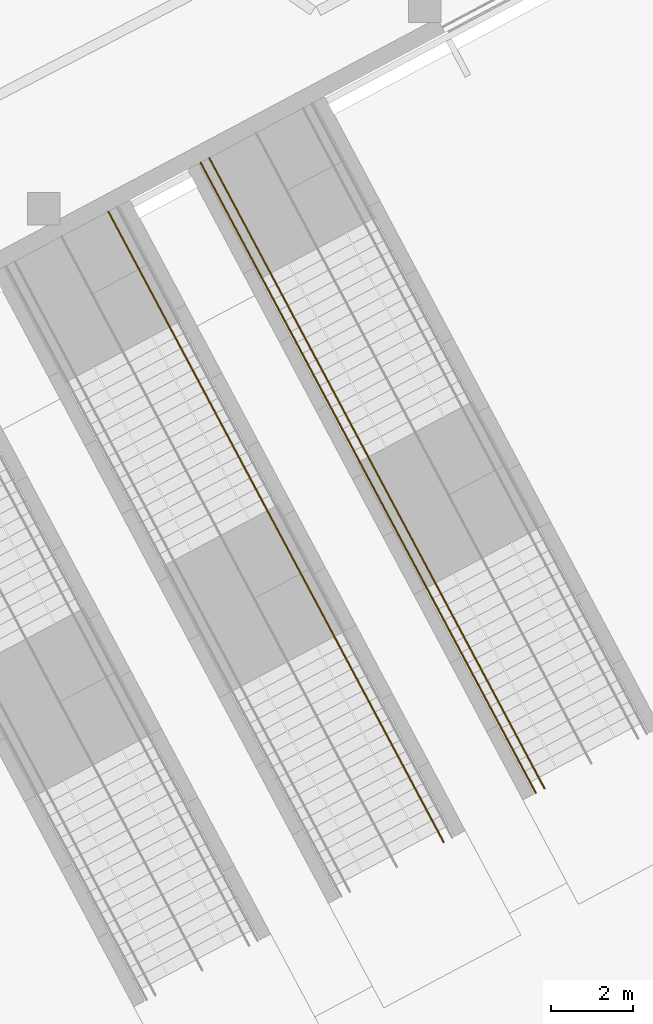
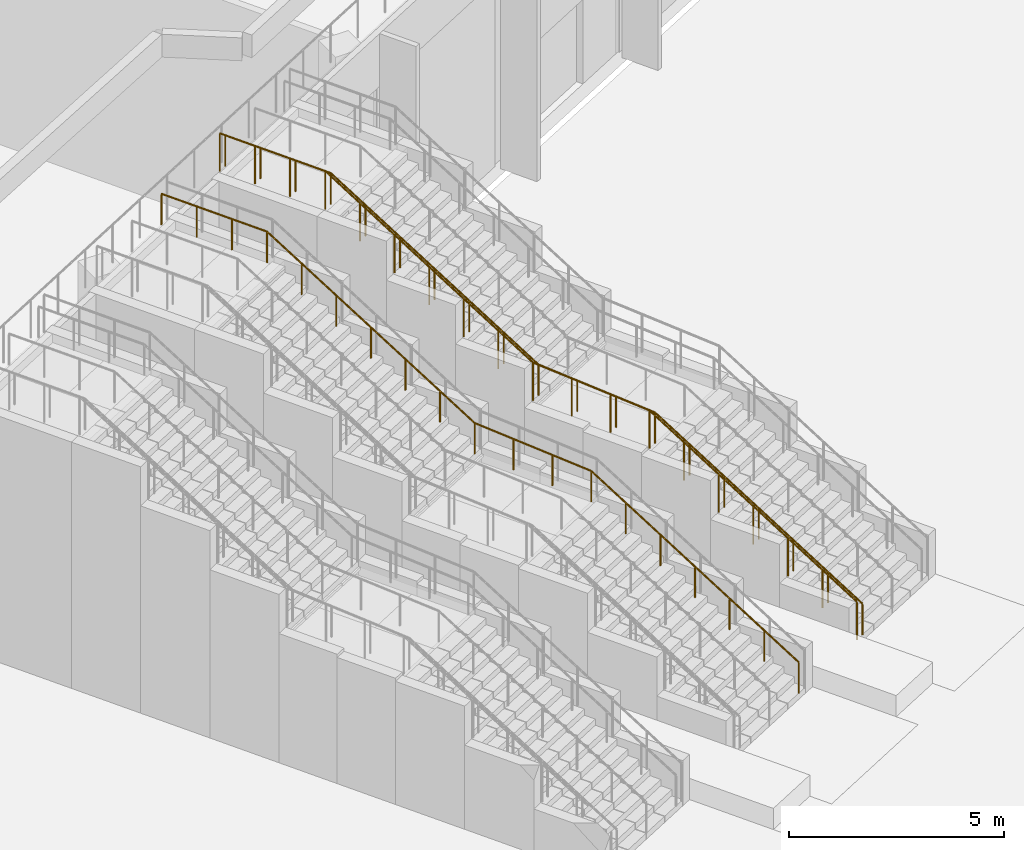
# One storey, part 49 of 57: 3 railings.
"""IFC4 building model written with IfcOpenShell, lengths in metres."""

from ifc_helpers import new_model, si_unit, direction, frame, origin, place, context, subcontext, project, spatial, polyline, outline, extrude, material, type_object, element, save


model = new_model("IFC4")

# Units and contexts
model_context = context("Model", 3, precision=1e-05, world=origin(), true_north=direction((0.0, 1.0)))
body_context = subcontext(model_context, "Body", "Model", "MODEL_VIEW")
ifc_project = project(units=[si_unit("LENGTHUNIT", "METRE"), si_unit("AREAUNIT", "SQUARE_METRE"), si_unit("VOLUMEUNIT", "CUBIC_METRE"), si_unit("PLANEANGLEUNIT", "RADIAN"), si_unit("MASSUNIT", "GRAM", prefix="KILO")], contexts=[model_context])

# Site, building, storey
site_placement = place(None, origin())
site = spatial("IfcSite", under=ifc_project, at=site_placement, CompositionType="ELEMENT")
building_placement = place(site_placement, origin())
building = spatial("IfcBuilding", under=site, at=building_placement, Name="Cormorant Relay Tower", CompositionType="ELEMENT")
storey_placement = place(building_placement, origin())
storey = spatial("IfcBuildingStorey", under=building, at=storey_placement, Name="L00", CompositionType="ELEMENT", Elevation=0.0)

# Railings
ifc_material_1 = material(Name="Stainless steel 316", Category="steel")
railing_type_1 = type_object("IfcRailingType", Name="Podium stair handrail 900", PredefinedType="HANDRAIL", material=ifc_material_1)
railing_1_placement = place(storey_placement, frame((44.37060546875, -13.78271484375, 7.0)))
element("IfcRailing", 1, at=railing_1_placement, inside=storey, type_object=railing_type_1, Name="Stair handrail", PredefinedType="HANDRAIL", context=body_context, shape_type="SweptSolid", body=[
    extrude(outline(polyline([(0.022216796875, 0.00927734375), (0.00927734375, 0.022216796875), (-0.00927734375, 0.022216796875), (-0.022216796875, 0.00927734375), (-0.022216796875, -0.00927734375), (-0.00927734375, -0.022216796875), (0.00927734375, -0.022216796875), (0.022216796875, -0.00927734375), (0.022216796875, 0.00927734375)])), frame((0.0, 0.0, 0.8759765625), z_axis=(0.469469146667, -0.882948877528, 0.0), x_axis=(0.882948877528, 0.469469146667, 0.0)), (0.0, 0.0, 1.0), 2.899658203125),
    extrude(outline(polyline([(0.022216796875, 0.00927734375), (0.00927734375, 0.022216796875), (-0.00927734375, 0.022216796875), (-0.022216796875, 0.00927734375), (-0.022216796875, -0.00927734375), (-0.00927734375, -0.022216796875), (0.00927734375, -0.022216796875), (0.022216796875, -0.00927734375), (0.022216796875, 0.00927734375)])), frame((1.361328125, -2.560302734375, 0.8759765625), z_axis=(0.4055184971, -0.762682585322, -0.503855160296), x_axis=(0.882950964929, 0.46946522079, 0.0)), (0.0, 0.0, 1.0), 6.59912109375),
    extrude(outline(polyline([(0.022216796875, 0.00927734375), (0.00927734375, 0.022216796875), (-0.00927734375, 0.022216796875), (-0.022216796875, 0.00927734375), (-0.022216796875, -0.00927734375), (-0.00927734375, -0.022216796875), (0.00927734375, -0.022216796875), (0.022216796875, -0.00927734375), (0.022216796875, 0.00927734375)])), frame((4.037353515625, -7.59326171875, -2.44921875), z_axis=(0.468802026207, -0.881612910187, -0.05461993058), x_axis=(0.88293093413, 0.469502891958, 0.0)), (0.0, 0.0, 1.0), 3.204833984375),
    extrude(outline(polyline([(0.022216796875, 0.00927734375), (0.00927734375, 0.022216796875), (-0.00927734375, 0.022216796875), (-0.022216796875, 0.00927734375), (-0.022216796875, -0.00927734375), (-0.00927734375, -0.022216796875), (0.00927734375, -0.022216796875), (0.022216796875, -0.00927734375), (0.022216796875, 0.00927734375)])), frame((5.539794921875, -10.418701171875, -2.6240234375), z_axis=(0.405499025835, -0.762678550964, -0.503876937304), x_axis=(0.88295927941, 0.469449582921, 0.0)), (0.0, 0.0, 1.0), 6.5986328125),
    extrude(outline(polyline([(0.019287109375, 0.008056640625), (0.008056640625, 0.019287109375), (-0.008056640625, 0.019287109375), (-0.019287109375, 0.008056640625), (-0.019287109375, -0.008056640625), (-0.008056640625, -0.019287109375), (0.008056640625, -0.019287109375), (0.019287109375, -0.008056640625), (0.019287109375, 0.008056640625)])), origin(), (0.0, 0.0, 1.0), 0.851806640625),
    extrude(outline(polyline([(0.019287109375, 0.008056640625), (0.008056640625, 0.019287109375), (-0.008056640625, 0.019287109375), (-0.019287109375, 0.008056640625), (-0.019287109375, -0.008056640625), (-0.008056640625, -0.019287109375), (0.008056640625, -0.019287109375), (0.019287109375, -0.008056640625), (0.019287109375, 0.008056640625)])), frame((0.453857421875, -0.853515625, 0.0)), (0.0, 0.0, 1.0), 0.851806640625),
    extrude(outline(polyline([(0.019287109375, 0.008056640625), (0.008056640625, 0.019287109375), (-0.008056640625, 0.019287109375), (-0.019287109375, 0.008056640625), (-0.019287109375, -0.008056640625), (-0.008056640625, -0.019287109375), (0.008056640625, -0.019287109375), (0.019287109375, -0.008056640625), (0.019287109375, 0.008056640625)])), frame((0.907470703125, -1.706787109375, 0.0)), (0.0, 0.0, 1.0), 0.851806640625),
    extrude(outline(polyline([(0.019287109375, 0.008056640625), (0.008056640625, 0.019287109375), (-0.008056640625, 0.019287109375), (-0.019287109375, 0.008056640625), (-0.019287109375, -0.008056640625), (-0.008056640625, -0.019287109375), (0.008056640625, -0.019287109375), (0.019287109375, -0.008056640625), (0.019287109375, 0.008056640625)])), frame((1.361328125, -2.560302734375, 0.0)), (0.0, 0.0, 1.0), 0.851806640625),
    extrude(outline(polyline([(0.019287109375, 0.008056640625), (0.008056640625, 0.019287109375), (-0.008056640625, 0.019287109375), (-0.019287109375, 0.008056640625), (-0.019287109375, -0.008056640625), (-0.008056640625, -0.019287109375), (0.008056640625, -0.019287109375), (0.019287109375, -0.008056640625), (0.019287109375, 0.008056640625)])), frame((1.807373046875, -3.399169921875, -0.55419921875)), (0.0, 0.0, 1.0), 0.851806640625),
    extrude(outline(polyline([(0.019287109375, 0.008056640625), (0.008056640625, 0.019287109375), (-0.008056640625, 0.019287109375), (-0.019287109375, 0.008056640625), (-0.019287109375, -0.008056640625), (-0.008056640625, -0.019287109375), (0.008056640625, -0.019287109375), (0.019287109375, -0.008056640625), (0.019287109375, 0.008056640625)])), frame((2.25341796875, -4.238037109375, -1.1083984375)), (0.0, 0.0, 1.0), 0.851806640625),
    extrude(outline(polyline([(0.019287109375, 0.008056640625), (0.008056640625, 0.019287109375), (-0.008056640625, 0.019287109375), (-0.019287109375, 0.008056640625), (-0.019287109375, -0.008056640625), (-0.008056640625, -0.019287109375), (0.008056640625, -0.019287109375), (0.019287109375, -0.008056640625), (0.019287109375, 0.008056640625)])), frame((2.69921875, -5.07666015625, -1.66259765625)), (0.0, 0.0, 1.0), 0.851806640625),
    extrude(outline(polyline([(0.019287109375, 0.008056640625), (0.008056640625, 0.019287109375), (-0.008056640625, 0.019287109375), (-0.019287109375, 0.008056640625), (-0.019287109375, -0.008056640625), (-0.008056640625, -0.019287109375), (0.008056640625, -0.019287109375), (0.019287109375, -0.008056640625), (0.019287109375, 0.008056640625)])), frame((3.145263671875, -5.91552734375, -2.216552734375)), (0.0, 0.0, 1.0), 0.851806640625),
    extrude(outline(polyline([(0.019287109375, 0.008056640625), (0.008056640625, 0.019287109375), (-0.008056640625, 0.019287109375), (-0.019287109375, 0.008056640625), (-0.019287109375, -0.008056640625), (-0.008056640625, -0.019287109375), (0.008056640625, -0.019287109375), (0.019287109375, -0.008056640625), (0.019287109375, 0.008056640625)])), frame((3.59130859375, -6.75439453125, -2.770751953125)), (0.0, 0.0, 1.0), 0.851806640625),
    extrude(outline(polyline([(0.019287109375, 0.008056640625), (0.008056640625, 0.019287109375), (-0.008056640625, 0.019287109375), (-0.019287109375, 0.008056640625), (-0.019287109375, -0.008056640625), (-0.008056640625, -0.019287109375), (0.008056640625, -0.019287109375), (0.019287109375, -0.008056640625), (0.019287109375, 0.008056640625)])), frame((4.037353515625, -7.59326171875, -3.324951171875)), (0.0, 0.0, 1.0), 0.851806640625),
    extrude(outline(polyline([(0.019287109375, 0.008056640625), (0.008056640625, 0.019287109375), (-0.008056640625, 0.019287109375), (-0.019287109375, 0.008056640625), (-0.019287109375, -0.008056640625), (-0.008056640625, -0.019287109375), (0.008056640625, -0.019287109375), (0.019287109375, -0.008056640625), (0.019287109375, 0.008056640625)])), frame((4.5380859375, -8.53515625, -3.38330078125)), (0.0, 0.0, 1.0), 0.851806640625),
    extrude(outline(polyline([(0.019287109375, 0.008056640625), (0.008056640625, 0.019287109375), (-0.008056640625, 0.019287109375), (-0.019287109375, 0.008056640625), (-0.019287109375, -0.008056640625), (-0.008056640625, -0.019287109375), (0.008056640625, -0.019287109375), (0.019287109375, -0.008056640625), (0.019287109375, 0.008056640625)])), frame((5.0390625, -9.476806640625, -3.441650390625)), (0.0, 0.0, 1.0), 0.851806640625),
    extrude(outline(polyline([(0.019287109375, 0.008056640625), (0.008056640625, 0.019287109375), (-0.008056640625, 0.019287109375), (-0.019287109375, 0.008056640625), (-0.019287109375, -0.008056640625), (-0.008056640625, -0.019287109375), (0.008056640625, -0.019287109375), (0.019287109375, -0.008056640625), (0.019287109375, 0.008056640625)])), frame((5.539794921875, -10.418701171875, -3.5)), (0.0, 0.0, 1.0), 0.851806640625),
    extrude(outline(polyline([(0.019287109375, 0.008056640625), (0.008056640625, 0.019287109375), (-0.008056640625, 0.019287109375), (-0.019287109375, 0.008056640625), (-0.019287109375, -0.008056640625), (-0.008056640625, -0.019287109375), (0.008056640625, -0.019287109375), (0.019287109375, -0.008056640625), (0.019287109375, 0.008056640625)])), frame((5.98583984375, -11.257568359375, -4.05419921875)), (0.0, 0.0, 1.0), 0.851806640625),
    extrude(outline(polyline([(0.019287109375, 0.008056640625), (0.008056640625, 0.019287109375), (-0.008056640625, 0.019287109375), (-0.019287109375, 0.008056640625), (-0.019287109375, -0.008056640625), (-0.008056640625, -0.019287109375), (0.008056640625, -0.019287109375), (0.019287109375, -0.008056640625), (0.019287109375, 0.008056640625)])), frame((6.431640625, -12.09619140625, -4.6083984375)), (0.0, 0.0, 1.0), 0.851806640625),
    extrude(outline(polyline([(0.019287109375, 0.008056640625), (0.008056640625, 0.019287109375), (-0.008056640625, 0.019287109375), (-0.019287109375, 0.008056640625), (-0.019287109375, -0.008056640625), (-0.008056640625, -0.019287109375), (0.008056640625, -0.019287109375), (0.019287109375, -0.008056640625), (0.019287109375, 0.008056640625)])), frame((6.877685546875, -12.93505859375, -5.16259765625)), (0.0, 0.0, 1.0), 0.851806640625),
    extrude(outline(polyline([(0.019287109375, 0.008056640625), (0.008056640625, 0.019287109375), (-0.008056640625, 0.019287109375), (-0.019287109375, 0.008056640625), (-0.019287109375, -0.008056640625), (-0.008056640625, -0.019287109375), (0.008056640625, -0.019287109375), (0.019287109375, -0.008056640625), (0.019287109375, 0.008056640625)])), frame((7.32373046875, -13.77392578125, -5.716552734375)), (0.0, 0.0, 1.0), 0.851806640625),
    extrude(outline(polyline([(0.019287109375, 0.008056640625), (0.008056640625, 0.019287109375), (-0.008056640625, 0.019287109375), (-0.019287109375, 0.008056640625), (-0.019287109375, -0.008056640625), (-0.008056640625, -0.019287109375), (0.008056640625, -0.019287109375), (0.019287109375, -0.008056640625), (0.019287109375, 0.008056640625)])), frame((7.76953125, -14.612548828125, -6.270751953125)), (0.0, 0.0, 1.0), 0.851806640625),
    extrude(outline(polyline([(0.019287109375, 0.008056640625), (0.008056640625, 0.019287109375), (-0.008056640625, 0.019287109375), (-0.019287109375, 0.008056640625), (-0.019287109375, -0.008056640625), (-0.008056640625, -0.019287109375), (0.008056640625, -0.019287109375), (0.019287109375, -0.008056640625), (0.019287109375, 0.008056640625)])), frame((8.215576171875, -15.451416015625, -6.824951171875)), (0.0, 0.0, 1.0), 0.851806640625),
])
railing_2_placement = place(storey_placement, frame((46.8427734375, -12.468017578125, 7.0)))
element("IfcRailing", 2, at=railing_2_placement, inside=storey, type_object=railing_type_1, Name="Stair handrail", PredefinedType="HANDRAIL", context=body_context, shape_type="SweptSolid", body=[
    extrude(outline(polyline([(0.022216796875, 0.00927734375), (0.00927734375, 0.022216796875), (-0.00927734375, 0.022216796875), (-0.022216796875, 0.00927734375), (-0.022216796875, -0.00927734375), (-0.00927734375, -0.022216796875), (0.00927734375, -0.022216796875), (0.022216796875, -0.00927734375), (0.022216796875, 0.00927734375)])), frame((0.0, 0.0, 0.8759765625), z_axis=(0.469499880774, -0.882932535335, 0.0), x_axis=(0.882932535335, 0.469499880774, 0.0)), (0.0, 0.0, 1.0), 2.900146484375),
    extrude(outline(polyline([(0.022216796875, 0.00927734375), (0.00927734375, 0.022216796875), (-0.00927734375, 0.022216796875), (-0.022216796875, 0.00927734375), (-0.022216796875, -0.00927734375), (-0.00927734375, -0.022216796875), (0.00927734375, -0.022216796875), (0.022216796875, -0.00927734375), (0.022216796875, 0.00927734375)])), frame((1.361572265625, -2.560546875, 0.8759765625), z_axis=(0.40552993965, -0.762667108471, -0.50386937762), x_axis=(0.882941524652, 0.469482975245, 0.0)), (0.0, 0.0, 1.0), 6.598876953125),
    extrude(outline(polyline([(0.022216796875, 0.00927734375), (0.00927734375, 0.022216796875), (-0.00927734375, 0.022216796875), (-0.022216796875, 0.00927734375), (-0.022216796875, -0.00927734375), (-0.00927734375, -0.022216796875), (0.00927734375, -0.022216796875), (0.022216796875, -0.00927734375), (0.022216796875, 0.00927734375)])), frame((4.03759765625, -7.59326171875, -2.44921875), z_axis=(0.468742586737, -0.881644394004, -0.054621881146), x_axis=(0.88296255937, 0.469443413791, 0.0)), (0.0, 0.0, 1.0), 3.204833984375),
    extrude(outline(polyline([(0.022216796875, 0.00927734375), (0.00927734375, 0.022216796875), (-0.00927734375, 0.022216796875), (-0.022216796875, 0.00927734375), (-0.022216796875, -0.00927734375), (-0.00927734375, -0.022216796875), (0.00927734375, -0.022216796875), (0.022216796875, -0.00927734375), (0.022216796875, 0.00927734375)])), frame((5.539794921875, -10.418701171875, -2.6240234375), z_axis=(0.4055184971, -0.762682585322, -0.503855160296), x_axis=(0.882950964929, 0.46946522079, 0.0)), (0.0, 0.0, 1.0), 6.59912109375),
    extrude(outline(polyline([(0.019287109375, 0.008056640625), (0.008056640625, 0.019287109375), (-0.008056640625, 0.019287109375), (-0.019287109375, 0.008056640625), (-0.019287109375, -0.008056640625), (-0.008056640625, -0.019287109375), (0.008056640625, -0.019287109375), (0.019287109375, -0.008056640625), (0.019287109375, 0.008056640625)])), origin(), (0.0, 0.0, 1.0), 0.851806640625),
    extrude(outline(polyline([(0.019287109375, 0.008056640625), (0.008056640625, 0.019287109375), (-0.008056640625, 0.019287109375), (-0.019287109375, 0.008056640625), (-0.019287109375, -0.008056640625), (-0.008056640625, -0.019287109375), (0.008056640625, -0.019287109375), (0.019287109375, -0.008056640625), (0.019287109375, 0.008056640625)])), frame((0.453857421875, -0.853515625, 0.0)), (0.0, 0.0, 1.0), 0.851806640625),
    extrude(outline(polyline([(0.019287109375, 0.008056640625), (0.008056640625, 0.019287109375), (-0.008056640625, 0.019287109375), (-0.019287109375, 0.008056640625), (-0.019287109375, -0.008056640625), (-0.008056640625, -0.019287109375), (0.008056640625, -0.019287109375), (0.019287109375, -0.008056640625), (0.019287109375, 0.008056640625)])), frame((0.90771484375, -1.70703125, 0.0)), (0.0, 0.0, 1.0), 0.851806640625),
    extrude(outline(polyline([(0.019287109375, 0.008056640625), (0.008056640625, 0.019287109375), (-0.008056640625, 0.019287109375), (-0.019287109375, 0.008056640625), (-0.019287109375, -0.008056640625), (-0.008056640625, -0.019287109375), (0.008056640625, -0.019287109375), (0.019287109375, -0.008056640625), (0.019287109375, 0.008056640625)])), frame((1.361572265625, -2.560546875, 0.0)), (0.0, 0.0, 1.0), 0.851806640625),
    extrude(outline(polyline([(0.019287109375, 0.008056640625), (0.008056640625, 0.019287109375), (-0.008056640625, 0.019287109375), (-0.019287109375, 0.008056640625), (-0.019287109375, -0.008056640625), (-0.008056640625, -0.019287109375), (0.008056640625, -0.019287109375), (0.019287109375, -0.008056640625), (0.019287109375, 0.008056640625)])), frame((1.8076171875, -3.3994140625, -0.55419921875)), (0.0, 0.0, 1.0), 0.851806640625),
    extrude(outline(polyline([(0.019287109375, 0.008056640625), (0.008056640625, 0.019287109375), (-0.008056640625, 0.019287109375), (-0.019287109375, 0.008056640625), (-0.019287109375, -0.008056640625), (-0.008056640625, -0.019287109375), (0.008056640625, -0.019287109375), (0.019287109375, -0.008056640625), (0.019287109375, 0.008056640625)])), frame((2.253662109375, -4.238037109375, -1.1083984375)), (0.0, 0.0, 1.0), 0.851806640625),
    extrude(outline(polyline([(0.019287109375, 0.008056640625), (0.008056640625, 0.019287109375), (-0.008056640625, 0.019287109375), (-0.019287109375, 0.008056640625), (-0.019287109375, -0.008056640625), (-0.008056640625, -0.019287109375), (0.008056640625, -0.019287109375), (0.019287109375, -0.008056640625), (0.019287109375, 0.008056640625)])), frame((2.69970703125, -5.076904296875, -1.66259765625)), (0.0, 0.0, 1.0), 0.851806640625),
    extrude(outline(polyline([(0.019287109375, 0.008056640625), (0.008056640625, 0.019287109375), (-0.008056640625, 0.019287109375), (-0.019287109375, 0.008056640625), (-0.019287109375, -0.008056640625), (-0.008056640625, -0.019287109375), (0.008056640625, -0.019287109375), (0.019287109375, -0.008056640625), (0.019287109375, 0.008056640625)])), frame((3.1455078125, -5.915771484375, -2.216552734375)), (0.0, 0.0, 1.0), 0.851806640625),
    extrude(outline(polyline([(0.019287109375, 0.008056640625), (0.008056640625, 0.019287109375), (-0.008056640625, 0.019287109375), (-0.019287109375, 0.008056640625), (-0.019287109375, -0.008056640625), (-0.008056640625, -0.019287109375), (0.008056640625, -0.019287109375), (0.019287109375, -0.008056640625), (0.019287109375, 0.008056640625)])), frame((3.591552734375, -6.75439453125, -2.770751953125)), (0.0, 0.0, 1.0), 0.851806640625),
    extrude(outline(polyline([(0.019287109375, 0.008056640625), (0.008056640625, 0.019287109375), (-0.008056640625, 0.019287109375), (-0.019287109375, 0.008056640625), (-0.019287109375, -0.008056640625), (-0.008056640625, -0.019287109375), (0.008056640625, -0.019287109375), (0.019287109375, -0.008056640625), (0.019287109375, 0.008056640625)])), frame((4.03759765625, -7.59326171875, -3.324951171875)), (0.0, 0.0, 1.0), 0.851806640625),
    extrude(outline(polyline([(0.019287109375, 0.008056640625), (0.008056640625, 0.019287109375), (-0.008056640625, 0.019287109375), (-0.019287109375, 0.008056640625), (-0.019287109375, -0.008056640625), (-0.008056640625, -0.019287109375), (0.008056640625, -0.019287109375), (0.019287109375, -0.008056640625), (0.019287109375, 0.008056640625)])), frame((4.538330078125, -8.53515625, -3.38330078125)), (0.0, 0.0, 1.0), 0.851806640625),
    extrude(outline(polyline([(0.019287109375, 0.008056640625), (0.008056640625, 0.019287109375), (-0.008056640625, 0.019287109375), (-0.019287109375, 0.008056640625), (-0.019287109375, -0.008056640625), (-0.008056640625, -0.019287109375), (0.008056640625, -0.019287109375), (0.019287109375, -0.008056640625), (0.019287109375, 0.008056640625)])), frame((5.0390625, -9.476806640625, -3.441650390625)), (0.0, 0.0, 1.0), 0.851806640625),
    extrude(outline(polyline([(0.019287109375, 0.008056640625), (0.008056640625, 0.019287109375), (-0.008056640625, 0.019287109375), (-0.019287109375, 0.008056640625), (-0.019287109375, -0.008056640625), (-0.008056640625, -0.019287109375), (0.008056640625, -0.019287109375), (0.019287109375, -0.008056640625), (0.019287109375, 0.008056640625)])), frame((5.539794921875, -10.418701171875, -3.5)), (0.0, 0.0, 1.0), 0.851806640625),
    extrude(outline(polyline([(0.019287109375, 0.008056640625), (0.008056640625, 0.019287109375), (-0.008056640625, 0.019287109375), (-0.019287109375, 0.008056640625), (-0.019287109375, -0.008056640625), (-0.008056640625, -0.019287109375), (0.008056640625, -0.019287109375), (0.019287109375, -0.008056640625), (0.019287109375, 0.008056640625)])), frame((5.98583984375, -11.257568359375, -4.05419921875)), (0.0, 0.0, 1.0), 0.851806640625),
    extrude(outline(polyline([(0.019287109375, 0.008056640625), (0.008056640625, 0.019287109375), (-0.008056640625, 0.019287109375), (-0.019287109375, 0.008056640625), (-0.019287109375, -0.008056640625), (-0.008056640625, -0.019287109375), (0.008056640625, -0.019287109375), (0.019287109375, -0.008056640625), (0.019287109375, 0.008056640625)])), frame((6.431884765625, -12.096435546875, -4.6083984375)), (0.0, 0.0, 1.0), 0.851806640625),
    extrude(outline(polyline([(0.019287109375, 0.008056640625), (0.008056640625, 0.019287109375), (-0.008056640625, 0.019287109375), (-0.019287109375, 0.008056640625), (-0.019287109375, -0.008056640625), (-0.008056640625, -0.019287109375), (0.008056640625, -0.019287109375), (0.019287109375, -0.008056640625), (0.019287109375, 0.008056640625)])), frame((6.8779296875, -12.93505859375, -5.16259765625)), (0.0, 0.0, 1.0), 0.851806640625),
    extrude(outline(polyline([(0.019287109375, 0.008056640625), (0.008056640625, 0.019287109375), (-0.008056640625, 0.019287109375), (-0.019287109375, 0.008056640625), (-0.019287109375, -0.008056640625), (-0.008056640625, -0.019287109375), (0.008056640625, -0.019287109375), (0.019287109375, -0.008056640625), (0.019287109375, 0.008056640625)])), frame((7.32373046875, -13.77392578125, -5.716552734375)), (0.0, 0.0, 1.0), 0.851806640625),
    extrude(outline(polyline([(0.019287109375, 0.008056640625), (0.008056640625, 0.019287109375), (-0.008056640625, 0.019287109375), (-0.019287109375, 0.008056640625), (-0.019287109375, -0.008056640625), (-0.008056640625, -0.019287109375), (0.008056640625, -0.019287109375), (0.019287109375, -0.008056640625), (0.019287109375, 0.008056640625)])), frame((7.769775390625, -14.61279296875, -6.270751953125)), (0.0, 0.0, 1.0), 0.851806640625),
    extrude(outline(polyline([(0.019287109375, 0.008056640625), (0.008056640625, 0.019287109375), (-0.008056640625, 0.019287109375), (-0.019287109375, 0.008056640625), (-0.019287109375, -0.008056640625), (-0.008056640625, -0.019287109375), (0.008056640625, -0.019287109375), (0.019287109375, -0.008056640625), (0.019287109375, 0.008056640625)])), frame((8.2158203125, -15.45166015625, -6.824951171875)), (0.0, 0.0, 1.0), 0.851806640625),
])
ifc_material_2 = material(Name="Bronze anodised aluminium", Category="aluminium")
railing_type_2 = type_object("IfcRailingType", Name="Stair guard steel 1100", PredefinedType="GUARDRAIL", material=ifc_material_2)
railing_3_placement = place(storey_placement, frame((46.630859375, -12.580810546875, 7.0)))
element("IfcRailing", 3, at=railing_3_placement, inside=storey, type_object=railing_type_2, Name="Stair guard", PredefinedType="GUARDRAIL", context=body_context, shape_type="SweptSolid", body=[
    extrude(outline(polyline([(0.022216796875, 0.00927734375), (0.00927734375, 0.022216796875), (-0.00927734375, 0.022216796875), (-0.022216796875, 0.00927734375), (-0.022216796875, -0.00927734375), (-0.00927734375, -0.022216796875), (0.00927734375, -0.022216796875), (0.022216796875, -0.00927734375), (0.022216796875, 0.00927734375)])), frame((0.0, 0.0, 1.076171875), z_axis=(0.469499880774, -0.882932535335, 0.0), x_axis=(0.882932535335, 0.469499880774, 0.0)), (0.0, 0.0, 1.0), 2.900146484375),
    extrude(outline(polyline([(0.022216796875, 0.00927734375), (0.00927734375, 0.022216796875), (-0.00927734375, 0.022216796875), (-0.022216796875, 0.00927734375), (-0.022216796875, -0.00927734375), (-0.00927734375, -0.022216796875), (0.00927734375, -0.022216796875), (0.022216796875, -0.00927734375), (0.022216796875, 0.00927734375)])), frame((1.361572265625, -2.560546875, 1.076171875), z_axis=(0.40552993965, -0.762667108471, -0.50386937762), x_axis=(0.882941524652, 0.469482975245, 0.0)), (0.0, 0.0, 1.0), 6.598876953125),
    extrude(outline(polyline([(0.022216796875, 0.00927734375), (0.00927734375, 0.022216796875), (-0.00927734375, 0.022216796875), (-0.022216796875, 0.00927734375), (-0.022216796875, -0.00927734375), (-0.00927734375, -0.022216796875), (0.00927734375, -0.022216796875), (0.022216796875, -0.00927734375), (0.022216796875, 0.00927734375)])), frame((4.03759765625, -7.59326171875, -2.2490234375), z_axis=(0.468742586737, -0.881644394004, -0.054621881146), x_axis=(0.88296255937, 0.469443413791, 0.0)), (0.0, 0.0, 1.0), 3.204833984375),
    extrude(outline(polyline([(0.022216796875, 0.00927734375), (0.00927734375, 0.022216796875), (-0.00927734375, 0.022216796875), (-0.022216796875, 0.00927734375), (-0.022216796875, -0.00927734375), (-0.00927734375, -0.022216796875), (0.00927734375, -0.022216796875), (0.022216796875, -0.00927734375), (0.022216796875, 0.00927734375)])), frame((5.539794921875, -10.418701171875, -2.423828125), z_axis=(0.40552993965, -0.762667108471, -0.50386937762), x_axis=(0.882941524652, 0.469482975245, 0.0)), (0.0, 0.0, 1.0), 6.598876953125),
    extrude(outline(polyline([(0.019287109375, 0.008056640625), (0.008056640625, 0.019287109375), (-0.008056640625, 0.019287109375), (-0.019287109375, 0.008056640625), (-0.019287109375, -0.008056640625), (-0.008056640625, -0.019287109375), (0.008056640625, -0.019287109375), (0.019287109375, -0.008056640625), (0.019287109375, 0.008056640625)])), origin(), (0.0, 0.0, 1.0), 1.052001953125),
    extrude(outline(polyline([(0.019287109375, 0.008056640625), (0.008056640625, 0.019287109375), (-0.008056640625, 0.019287109375), (-0.019287109375, 0.008056640625), (-0.019287109375, -0.008056640625), (-0.008056640625, -0.019287109375), (0.008056640625, -0.019287109375), (0.019287109375, -0.008056640625), (0.019287109375, 0.008056640625)])), frame((0.453857421875, -0.853515625, 0.0)), (0.0, 0.0, 1.0), 1.052001953125),
    extrude(outline(polyline([(0.019287109375, 0.008056640625), (0.008056640625, 0.019287109375), (-0.008056640625, 0.019287109375), (-0.019287109375, 0.008056640625), (-0.019287109375, -0.008056640625), (-0.008056640625, -0.019287109375), (0.008056640625, -0.019287109375), (0.019287109375, -0.008056640625), (0.019287109375, 0.008056640625)])), frame((0.90771484375, -1.70703125, 0.0)), (0.0, 0.0, 1.0), 1.052001953125),
    extrude(outline(polyline([(0.019287109375, 0.008056640625), (0.008056640625, 0.019287109375), (-0.008056640625, 0.019287109375), (-0.019287109375, 0.008056640625), (-0.019287109375, -0.008056640625), (-0.008056640625, -0.019287109375), (0.008056640625, -0.019287109375), (0.019287109375, -0.008056640625), (0.019287109375, 0.008056640625)])), frame((1.361572265625, -2.560546875, 0.0)), (0.0, 0.0, 1.0), 1.052001953125),
    extrude(outline(polyline([(0.019287109375, 0.008056640625), (0.008056640625, 0.019287109375), (-0.008056640625, 0.019287109375), (-0.019287109375, 0.008056640625), (-0.019287109375, -0.008056640625), (-0.008056640625, -0.019287109375), (0.008056640625, -0.019287109375), (0.019287109375, -0.008056640625), (0.019287109375, 0.008056640625)])), frame((1.8076171875, -3.3994140625, -0.55419921875)), (0.0, 0.0, 1.0), 1.052001953125),
    extrude(outline(polyline([(0.019287109375, 0.008056640625), (0.008056640625, 0.019287109375), (-0.008056640625, 0.019287109375), (-0.019287109375, 0.008056640625), (-0.019287109375, -0.008056640625), (-0.008056640625, -0.019287109375), (0.008056640625, -0.019287109375), (0.019287109375, -0.008056640625), (0.019287109375, 0.008056640625)])), frame((2.253662109375, -4.238037109375, -1.1083984375)), (0.0, 0.0, 1.0), 1.052001953125),
    extrude(outline(polyline([(0.019287109375, 0.008056640625), (0.008056640625, 0.019287109375), (-0.008056640625, 0.019287109375), (-0.019287109375, 0.008056640625), (-0.019287109375, -0.008056640625), (-0.008056640625, -0.019287109375), (0.008056640625, -0.019287109375), (0.019287109375, -0.008056640625), (0.019287109375, 0.008056640625)])), frame((2.69970703125, -5.076904296875, -1.66259765625)), (0.0, 0.0, 1.0), 1.052001953125),
    extrude(outline(polyline([(0.019287109375, 0.008056640625), (0.008056640625, 0.019287109375), (-0.008056640625, 0.019287109375), (-0.019287109375, 0.008056640625), (-0.019287109375, -0.008056640625), (-0.008056640625, -0.019287109375), (0.008056640625, -0.019287109375), (0.019287109375, -0.008056640625), (0.019287109375, 0.008056640625)])), frame((3.1455078125, -5.915771484375, -2.216552734375)), (0.0, 0.0, 1.0), 1.052001953125),
    extrude(outline(polyline([(0.019287109375, 0.008056640625), (0.008056640625, 0.019287109375), (-0.008056640625, 0.019287109375), (-0.019287109375, 0.008056640625), (-0.019287109375, -0.008056640625), (-0.008056640625, -0.019287109375), (0.008056640625, -0.019287109375), (0.019287109375, -0.008056640625), (0.019287109375, 0.008056640625)])), frame((3.591552734375, -6.75439453125, -2.770751953125)), (0.0, 0.0, 1.0), 1.052001953125),
    extrude(outline(polyline([(0.019287109375, 0.008056640625), (0.008056640625, 0.019287109375), (-0.008056640625, 0.019287109375), (-0.019287109375, 0.008056640625), (-0.019287109375, -0.008056640625), (-0.008056640625, -0.019287109375), (0.008056640625, -0.019287109375), (0.019287109375, -0.008056640625), (0.019287109375, 0.008056640625)])), frame((4.03759765625, -7.59326171875, -3.324951171875)), (0.0, 0.0, 1.0), 1.052001953125),
    extrude(outline(polyline([(0.019287109375, 0.008056640625), (0.008056640625, 0.019287109375), (-0.008056640625, 0.019287109375), (-0.019287109375, 0.008056640625), (-0.019287109375, -0.008056640625), (-0.008056640625, -0.019287109375), (0.008056640625, -0.019287109375), (0.019287109375, -0.008056640625), (0.019287109375, 0.008056640625)])), frame((4.538330078125, -8.53515625, -3.38330078125)), (0.0, 0.0, 1.0), 1.052001953125),
    extrude(outline(polyline([(0.019287109375, 0.008056640625), (0.008056640625, 0.019287109375), (-0.008056640625, 0.019287109375), (-0.019287109375, 0.008056640625), (-0.019287109375, -0.008056640625), (-0.008056640625, -0.019287109375), (0.008056640625, -0.019287109375), (0.019287109375, -0.008056640625), (0.019287109375, 0.008056640625)])), frame((5.0390625, -9.476806640625, -3.441650390625)), (0.0, 0.0, 1.0), 1.052001953125),
    extrude(outline(polyline([(0.019287109375, 0.008056640625), (0.008056640625, 0.019287109375), (-0.008056640625, 0.019287109375), (-0.019287109375, 0.008056640625), (-0.019287109375, -0.008056640625), (-0.008056640625, -0.019287109375), (0.008056640625, -0.019287109375), (0.019287109375, -0.008056640625), (0.019287109375, 0.008056640625)])), frame((5.539794921875, -10.418701171875, -3.5)), (0.0, 0.0, 1.0), 1.052001953125),
    extrude(outline(polyline([(0.019287109375, 0.008056640625), (0.008056640625, 0.019287109375), (-0.008056640625, 0.019287109375), (-0.019287109375, 0.008056640625), (-0.019287109375, -0.008056640625), (-0.008056640625, -0.019287109375), (0.008056640625, -0.019287109375), (0.019287109375, -0.008056640625), (0.019287109375, 0.008056640625)])), frame((5.98583984375, -11.257568359375, -4.05419921875)), (0.0, 0.0, 1.0), 1.052001953125),
    extrude(outline(polyline([(0.019287109375, 0.008056640625), (0.008056640625, 0.019287109375), (-0.008056640625, 0.019287109375), (-0.019287109375, 0.008056640625), (-0.019287109375, -0.008056640625), (-0.008056640625, -0.019287109375), (0.008056640625, -0.019287109375), (0.019287109375, -0.008056640625), (0.019287109375, 0.008056640625)])), frame((6.431884765625, -12.09619140625, -4.6083984375)), (0.0, 0.0, 1.0), 1.052001953125),
    extrude(outline(polyline([(0.019287109375, 0.008056640625), (0.008056640625, 0.019287109375), (-0.008056640625, 0.019287109375), (-0.019287109375, 0.008056640625), (-0.019287109375, -0.008056640625), (-0.008056640625, -0.019287109375), (0.008056640625, -0.019287109375), (0.019287109375, -0.008056640625), (0.019287109375, 0.008056640625)])), frame((6.8779296875, -12.93505859375, -5.16259765625)), (0.0, 0.0, 1.0), 1.052001953125),
    extrude(outline(polyline([(0.019287109375, 0.008056640625), (0.008056640625, 0.019287109375), (-0.008056640625, 0.019287109375), (-0.019287109375, 0.008056640625), (-0.019287109375, -0.008056640625), (-0.008056640625, -0.019287109375), (0.008056640625, -0.019287109375), (0.019287109375, -0.008056640625), (0.019287109375, 0.008056640625)])), frame((7.32373046875, -13.77392578125, -5.716552734375)), (0.0, 0.0, 1.0), 1.052001953125),
    extrude(outline(polyline([(0.019287109375, 0.008056640625), (0.008056640625, 0.019287109375), (-0.008056640625, 0.019287109375), (-0.019287109375, 0.008056640625), (-0.019287109375, -0.008056640625), (-0.008056640625, -0.019287109375), (0.008056640625, -0.019287109375), (0.019287109375, -0.008056640625), (0.019287109375, 0.008056640625)])), frame((7.769775390625, -14.612548828125, -6.270751953125)), (0.0, 0.0, 1.0), 1.052001953125),
    extrude(outline(polyline([(0.019287109375, 0.008056640625), (0.008056640625, 0.019287109375), (-0.008056640625, 0.019287109375), (-0.019287109375, 0.008056640625), (-0.019287109375, -0.008056640625), (-0.008056640625, -0.019287109375), (0.008056640625, -0.019287109375), (0.019287109375, -0.008056640625), (0.019287109375, 0.008056640625)])), frame((8.2158203125, -15.451416015625, -6.824951171875)), (0.0, 0.0, 1.0), 1.052001953125),
])

save(model, "model.ifc")
